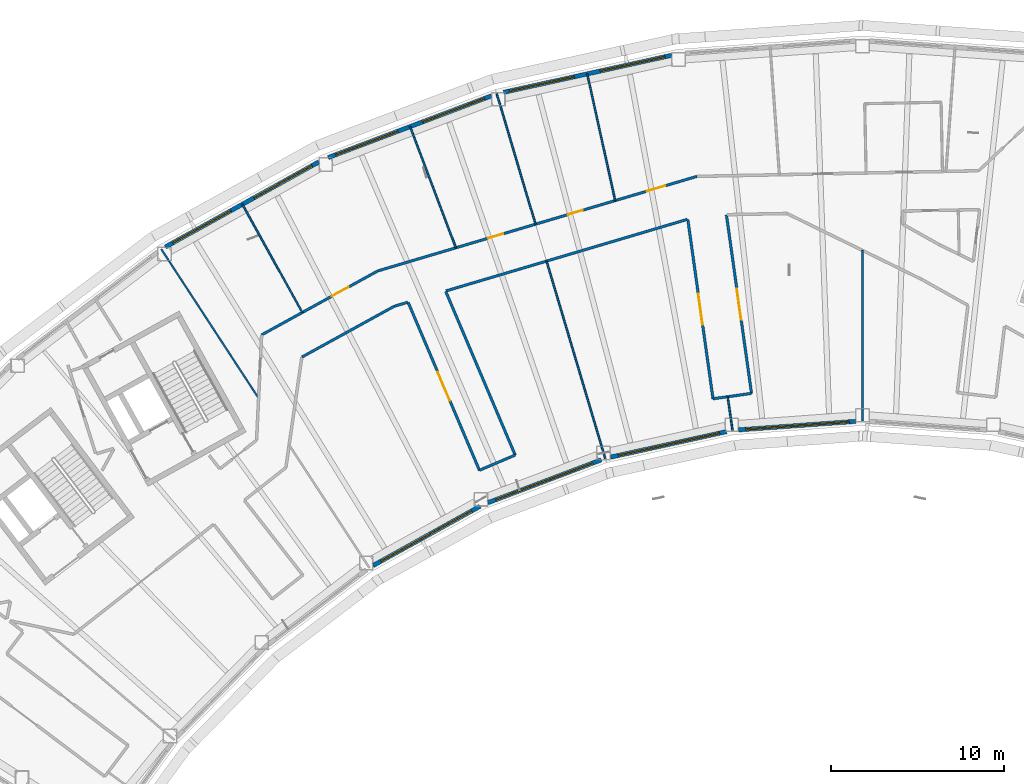
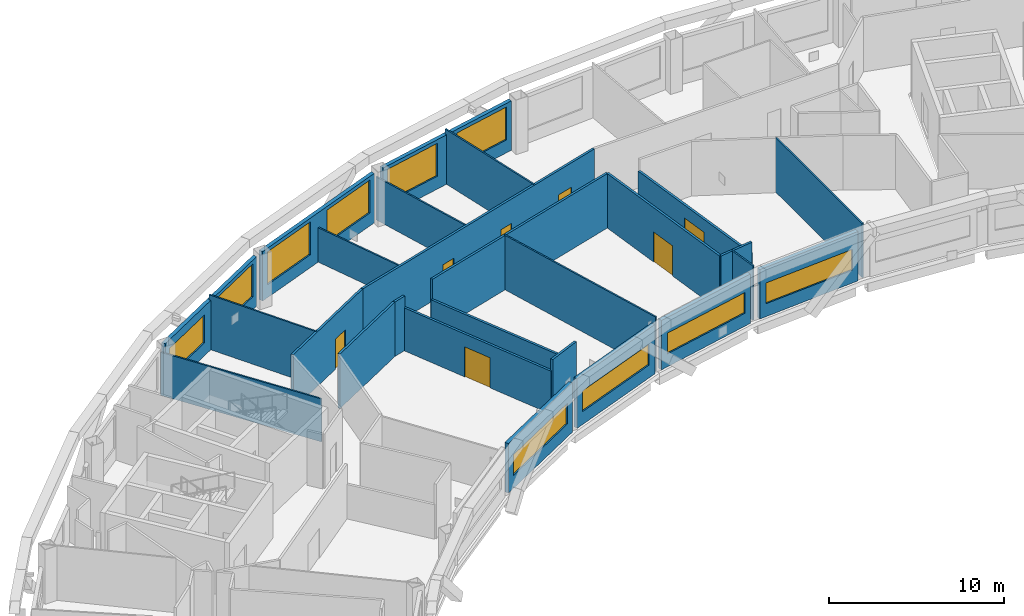
# One storey, part 7 of 21: 26 walls, 10 windows, 7 doors, 17 openings.
"""IFC4 building model written with IfcOpenShell, lengths in metres."""

import ifcopenshell
import ifcopenshell.guid

model = None  # the IFC model being written
_history = None  # IfcOwnerHistory: only IFC2X3 demands one
_inside = {}  # id of a spatial element -> (the spatial element, [elements in it])
_under = {}  # id of a project, library or spatial element -> (it, [spatial elements below it])
_declared = {}  # id of a project -> (the project, [libraries it declares])
_typed = {}  # id of a type object -> (the type object, [elements of that type])
_made_of = {}  # id of a material, layer set ... -> (it, [elements and type objects made of it])


def new_model(schema):
    """Start an empty IFC model of exactly this schema.

    Asked for "IFC4X3", IfcOpenShell would pick the latest addendum, in which some entities
    have other attributes; the version numbers below select the first issue.
    IFC2X3 requires an IfcOwnerHistory on every rooted entity: one is made here for all.
    """
    global model, _history
    if schema == "IFC4X3":
        model = ifcopenshell.file(schema_version=(4, 3, 0, 0))
    else:
        model = ifcopenshell.file(schema=schema)
    _inside.clear()
    _under.clear()
    _declared.clear()
    _typed.clear()
    _made_of.clear()
    _history = None
    if model.schema == "IFC2X3":
        org = make("IfcOrganization", Name="unknown")
        user = make(
            "IfcPersonAndOrganization",
            ThePerson=make("IfcPerson", FamilyName="unknown"),
            TheOrganization=org,
        )
        app = make(
            "IfcApplication",
            ApplicationDeveloper=org,
            Version="unknown",
            ApplicationFullName="unknown",
            ApplicationIdentifier="unknown",
        )
        _history = make(
            "IfcOwnerHistory",
            OwningUser=user,
            OwningApplication=app,
            ChangeAction="ADDED",
            CreationDate=0,
        )
    return model


def make(cls, **values):
    """One entity of the class cls with the attributes given. An attribute that is None is left unset."""
    return model.create_entity(
        cls, **{name: value for name, value in values.items() if value is not None}
    )


def rooted(cls, **values):
    """An entity with a GlobalId (a new one), such as an element, a storey or a relation."""
    return make(cls, GlobalId=ifcopenshell.guid.new(), OwnerHistory=_history, **values)


def si_unit(unit_type, name, prefix=None):
    """IfcSIUnit, for example si_unit("LENGTHUNIT", "METRE", prefix="MILLI")."""
    return make("IfcSIUnit", UnitType=unit_type, Prefix=prefix, Name=name)


def assignment(units):
    """IfcUnitAssignment: the units of a project."""
    return None if units is None else make("IfcUnitAssignment", Units=units)


def point(xyz):
    """IfcCartesianPoint."""
    return None if xyz is None else make("IfcCartesianPoint", Coordinates=xyz)


def direction(xyz):
    """IfcDirection."""
    return None if xyz is None else make("IfcDirection", DirectionRatios=xyz)


def frame(location, z_axis=None, x_axis=None):
    """IfcAxis2Placement3D, a coordinate frame: its origin and axes. An axis left out is left unset."""
    return make(
        "IfcAxis2Placement3D",
        Location=point(location),
        Axis=direction(z_axis),
        RefDirection=direction(x_axis),
    )


def frame_2d(location, x_axis=None):
    """IfcAxis2Placement2D, a coordinate frame in the plane: its origin and x axis."""
    return make(
        "IfcAxis2Placement2D", Location=point(location), RefDirection=direction(x_axis)
    )


def origin():
    """The frame at (0, 0, 0) with its axes left unset."""
    return frame((0.0, 0.0, 0.0))


def place(relative_to, where):
    """IfcLocalPlacement: puts the frame where relative to a parent placement (None: the world)."""
    return make(
        "IfcLocalPlacement", PlacementRelTo=relative_to, RelativePlacement=where
    )


def context(
    kind, dimensions, precision=None, world=None, true_north=None, identifier=None
):
    """IfcGeometricRepresentationContext, for example the 3D "Model" context."""
    return make(
        "IfcGeometricRepresentationContext",
        ContextIdentifier=identifier,
        ContextType=kind,
        CoordinateSpaceDimension=dimensions,
        Precision=precision,
        WorldCoordinateSystem=world,
        TrueNorth=true_north,
    )


def subcontext(parent, identifier, kind, view, scale=None):
    """IfcGeometricRepresentationSubContext, for example "Body" below "Model"."""
    return make(
        "IfcGeometricRepresentationSubContext",
        ContextIdentifier=identifier,
        ContextType=kind,
        ParentContext=parent,
        TargetScale=scale,
        TargetView=view,
    )


def project(units=None, contexts=None):
    """IfcProject with its units and contexts."""
    return rooted(
        "IfcProject",
        Name="project",
        RepresentationContexts=contexts,
        UnitsInContext=assignment(units),
    )


def spatial(cls, under=None, at=None, **own):
    """A site, building, storey or space (cls), placed at a placement, below another one or the project."""
    s = rooted(cls, ObjectPlacement=at, **own)
    if under is not None:
        _under.setdefault(under.id(), (under, []))[1].append(s)
    return s


def profile(cls, at=None, kind="AREA", **sizes):
    """A parametric profile (cls). Its sizes go by their IFC names, for example OverallWidth=200.0."""
    return make(cls, ProfileType=kind, Position=at, **sizes)


def rectangle(**sizes):
    """IfcRectangleProfileDef."""
    return profile("IfcRectangleProfileDef", **sizes)


def extrude(swept, where, along, depth):
    """IfcExtrudedAreaSolid: the profile swept, set in the frame where, extruded along a direction by depth."""
    return make(
        "IfcExtrudedAreaSolid",
        SweptArea=swept,
        Position=where,
        ExtrudedDirection=direction(along),
        Depth=depth,
    )


def shape(context_of_items, identifier, shape_type, items):
    """IfcShapeRepresentation: the items that make up one representation, for example the "Body"."""
    return make(
        "IfcShapeRepresentation",
        ContextOfItems=context_of_items,
        RepresentationIdentifier=identifier,
        RepresentationType=shape_type,
        Items=items,
    )


def material(Name=None, Category=None):
    """IfcMaterial."""
    return make("IfcMaterial", Name=Name, Category=Category)


def layer(
    of_material, thickness, ventilated=None, Name=None, Category=None, Priority=None
):
    """IfcMaterialLayer: one layer of a wall or slab, of a material (None: an air gap)."""
    return make(
        "IfcMaterialLayer",
        Material=of_material,
        LayerThickness=thickness,
        IsVentilated=ventilated,
        Name=Name,
        Category=Category,
        Priority=Priority,
    )


def layer_set(layers, Name=None):
    """IfcMaterialLayerSet."""
    return make("IfcMaterialLayerSet", MaterialLayers=layers, LayerSetName=Name)


def made_of(thing, what):
    """Note that an element or type object is made of a material, layer set ...; save() writes the relation."""
    if what is not None:
        _made_of.setdefault(what.id(), (what, []))[1].append(thing)
    return thing


def type_object(cls, material=None, **own):
    """A type object (cls), such as IfcWallType, which elements share."""
    return made_of(rooted(cls, **own), material)


def element(
    cls,
    number,
    at=None,
    inside=None,
    cuts=None,
    type_object=None,
    material=None,
    context=None,
    identifier="Body",
    shape_type=None,
    held_by="IfcProductDefinitionShape",
    body=None,
    shapes=None,
    **own,
):
    """One element of the class cls, such as IfcWall. Its Tag is "e" and its number.

    at: its placement. inside: the storey or other place that contains it. cuts: it is an
    opening in that element (IfcRelVoidsElement). A single representation is given by context,
    identifier, shape_type and body (its items); several are given by shapes. held_by: the class
    of the entity that holds the representations. save() writes the other relations.
    """
    e = rooted(cls, Tag="e%d" % number, ObjectPlacement=at, **own)
    if body is not None:
        shapes = [shape(context, identifier, shape_type, body)]
    if shapes is not None:
        e.Representation = make(held_by, Representations=shapes)
    if inside is not None:
        _inside.setdefault(inside.id(), (inside, []))[1].append(e)
    if cuts is not None:
        rooted(
            "IfcRelVoidsElement", RelatingBuildingElement=cuts, RelatedOpeningElement=e
        )
    if type_object is not None:
        _typed.setdefault(type_object.id(), (type_object, []))[1].append(e)
    return made_of(e, material)


def fill(opening, filler):
    """IfcRelFillsElement: the door or window that sits in an opening."""
    return rooted(
        "IfcRelFillsElement",
        RelatingOpeningElement=opening,
        RelatedBuildingElement=filler,
    )


def aggregate(whole, parts):
    """IfcRelAggregates: a whole, such as a stair, and the parts it consists of."""
    return rooted("IfcRelAggregates", RelatingObject=whole, RelatedObjects=parts)


def save(model, path):
    """Write the relations noted so far, then the file.

    IfcRelAggregates (storeys below a building ...), IfcRelContainedInSpatialStructure (elements
    in a storey), IfcRelDefinesByType, IfcRelAssociatesMaterial and IfcRelDeclares: one each for
    every whole, place, type object, material and project.
    """
    for whole, parts in _under.values():
        aggregate(whole, parts)
    for where, things in _inside.values():
        rooted(
            "IfcRelContainedInSpatialStructure",
            RelatedElements=things,
            RelatingStructure=where,
        )
    for kind, things in _typed.values():
        rooted("IfcRelDefinesByType", RelatedObjects=things, RelatingType=kind)
    for what, things in _made_of.values():
        rooted("IfcRelAssociatesMaterial", RelatedObjects=things, RelatingMaterial=what)
    for by, libraries in _declared.values():
        rooted("IfcRelDeclares", RelatingContext=by, RelatedDefinitions=libraries)
    model.write(path)


model = new_model("IFC4")

# Units and contexts
model_context = context("Model", 3, precision=1e-05, world=origin(), true_north=direction((0.0, 1.0)))
body_context = subcontext(model_context, "Body", "Model", "MODEL_VIEW")
ifc_project = project(units=[si_unit("LENGTHUNIT", "METRE"), si_unit("AREAUNIT", "SQUARE_METRE"), si_unit("VOLUMEUNIT", "CUBIC_METRE"), si_unit("PLANEANGLEUNIT", "RADIAN"), si_unit("MASSUNIT", "GRAM", prefix="KILO")], contexts=[model_context])

# Site, building, storey
site_placement = place(None, origin())
site = spatial("IfcSite", under=ifc_project, at=site_placement, CompositionType="ELEMENT")
building_placement = place(site_placement, origin())
building = spatial("IfcBuilding", under=site, at=building_placement, Name="Tuul Gate Civic Tower", CompositionType="ELEMENT")
storey_placement = place(building_placement, frame((0.0, 0.0, 273.60009765625)))
storey = spatial("IfcBuildingStorey", under=building, at=storey_placement, Name="Level 62", CompositionType="ELEMENT", Elevation=273.60009765625)

# Wall, openings, doors
ifc_material_1 = material(Name="Gypsum board partition")
ifc_layer_1 = layer(ifc_material_1, 0.14990234375)
ifc_layer_set_1 = layer_set([ifc_layer_1], Name="Gypsum board partition")
wall_type_1 = type_object("IfcWallType", Name="Corridor wall P150", PredefinedType="PARTITIONING", material=ifc_layer_set_1)
wall_1_placement = place(storey_placement, frame((-17.019287109375, 0.470947265625, 0.0), z_axis=(0.0, 0.0, 1.0), x_axis=(0.958801310429, 0.284077537162, 0.0)))
wall_1 = element("IfcWall", 1, at=wall_1_placement, inside=storey, type_object=wall_type_1, Name="p032", PredefinedType="PARTITIONING", context=body_context, shape_type="SweptSolid", body=[
    extrude(rectangle(XDim=19.255126953125, YDim=0.14990234375, at=frame_2d((9.62744140625, 0.0))), origin(), (0.0, 0.0, 1.0), 3.7998046875),
])
opening_1_placement = place(wall_1_placement, frame((16.239013671875, 0.0, 0.0)))
opening_1 = element("IfcOpeningElement", 2, at=opening_1_placement, cuts=wall_1, Name="Opening W-D11", PredefinedType="OPENING", context=body_context, shape_type="SweptSolid", body=[
    extrude(rectangle(XDim=1.10009765625, YDim=2.10009765625, at=frame_2d((0.550048828125, 1.050048828125))), frame((0.0, 0.0849609375, 0.0), z_axis=(0.0, -1.0, 0.0), x_axis=(1.0, 0.0, 0.0)), (0.0, 0.0, 1.0), 0.169921875),
])
opening_2_placement = place(wall_1_placement, frame((11.47021484375, 0.0, 0.0)))
opening_2 = element("IfcOpeningElement", 3, at=opening_2_placement, cuts=wall_1, Name="Opening W-D12", PredefinedType="OPENING", context=body_context, shape_type="SweptSolid", body=[
    extrude(rectangle(XDim=0.89990234375, YDim=2.10009765625, at=frame_2d((0.449951171875, 1.050048828125))), frame((0.0, 0.0849609375, 0.0), z_axis=(0.0, -1.0, 0.0), x_axis=(1.0, 0.0, 0.0)), (0.0, 0.0, 1.0), 0.169921875),
])
opening_3_placement = place(wall_1_placement, frame((6.663818359375, 0.0, 0.0)))
opening_3 = element("IfcOpeningElement", 4, at=opening_3_placement, cuts=wall_1, Name="Opening W-D13", PredefinedType="OPENING", context=body_context, shape_type="SweptSolid", body=[
    extrude(rectangle(XDim=0.89990234375, YDim=2.10009765625, at=frame_2d((0.449951171875, 1.050048828125))), frame((0.0, 0.0849609375, 0.0), z_axis=(0.0, -1.0, 0.0), x_axis=(1.0, 0.0, 0.0)), (0.0, 0.0, 1.0), 0.169921875),
])
ifc_material_2 = material(Name="Timber door leaf", Category="wood")
door_type_1 = type_object("IfcDoorType", Name="Door D09", OperationType="NOTDEFINED", PredefinedType="DOOR", material=ifc_material_2)
door_1_placement = place(opening_2_placement, origin())
door_1 = element("IfcDoor", 5, at=door_1_placement, inside=storey, type_object=door_type_1, Name="Door W-D12", OperationType="SINGLE_SWING_RIGHT", OverallHeight=2.10009765625, OverallWidth=0.89990234375, PredefinedType="DOOR", context=body_context, shape_type="SweptSolid", body=[
    extrude(rectangle(XDim=0.89990234375, YDim=2.10009765625, at=frame_2d((0.449951171875, 1.050048828125))), frame((0.0, 0.02490234375, 0.0), z_axis=(0.0, -1.0, 0.0), x_axis=(1.0, 0.0, 0.0)), (0.0, 0.0, 1.0), 0.050048828125),
])
fill(opening_2, door_1)
door_2_placement = place(opening_3_placement, origin())
door_2 = element("IfcDoor", 6, at=door_2_placement, inside=storey, type_object=door_type_1, Name="Door W-D13", OperationType="SINGLE_SWING_RIGHT", OverallHeight=2.10009765625, OverallWidth=0.89990234375, PredefinedType="DOOR", context=body_context, shape_type="SweptSolid", body=[
    extrude(rectangle(XDim=0.89990234375, YDim=2.10009765625, at=frame_2d((0.449951171875, 1.050048828125))), frame((0.0, 0.02490234375, 0.0), z_axis=(0.0, -1.0, 0.0), x_axis=(1.0, 0.0, 0.0)), (0.0, 0.0, 1.0), 0.050048828125),
])
fill(opening_3, door_2)
ifc_material_3 = material(Name="Timber door leaf", Category="wood")
door_type_2 = type_object("IfcDoorType", Name="Door D11", OperationType="NOTDEFINED", PredefinedType="DOOR", material=ifc_material_3)
door_3_placement = place(opening_1_placement, origin())
door_3 = element("IfcDoor", 7, at=door_3_placement, inside=storey, type_object=door_type_2, Name="Door W-D11", OperationType="SINGLE_SWING_RIGHT", OverallHeight=2.10009765625, OverallWidth=1.10009765625, PredefinedType="DOOR", context=body_context, shape_type="SweptSolid", body=[
    extrude(rectangle(XDim=1.10009765625, YDim=2.10009765625, at=frame_2d((0.550048828125, 1.050048828125))), frame((0.0, 0.02490234375, 0.0), z_axis=(0.0, -1.0, 0.0), x_axis=(1.0, 0.0, 0.0)), (0.0, 0.0, 1.0), 0.050048828125),
])
fill(opening_1, door_3)

# Wall, opening, door
wall_2_placement = place(storey_placement, frame((-23.7451171875, -3.230712890625, 0.0), z_axis=(0.0, 0.0, 1.0), x_axis=(0.876076858948, 0.482171481131, 0.0)))
wall_2 = element("IfcWall", 8, at=wall_2_placement, inside=storey, type_object=wall_type_1, Name="p038", PredefinedType="PARTITIONING", context=body_context, shape_type="SweptSolid", body=[
    extrude(rectangle(XDim=7.675537109375, YDim=0.14990234375, at=frame_2d((3.837890625, 0.0))), origin(), (0.0, 0.0, 1.0), 3.7998046875),
])
opening_4_placement = place(wall_2_placement, frame((4.6318359375, 0.0, 0.0)))
opening_4 = element("IfcOpeningElement", 9, at=opening_4_placement, cuts=wall_2, Name="Opening W-D14", PredefinedType="OPENING", context=body_context, shape_type="SweptSolid", body=[
    extrude(rectangle(XDim=1.10009765625, YDim=2.10009765625, at=frame_2d((0.550048828125, 1.050048828125))), frame((0.0, 0.0849609375, 0.0), z_axis=(0.0, -1.0, 0.0), x_axis=(1.0, 0.0, 0.0)), (0.0, 0.0, 1.0), 0.169921875),
])
door_4_placement = place(opening_4_placement, origin())
door_4 = element("IfcDoor", 10, at=door_4_placement, inside=storey, type_object=door_type_2, Name="Door W-D14", OperationType="SINGLE_SWING_RIGHT", OverallHeight=2.10009765625, OverallWidth=1.10009765625, PredefinedType="DOOR", context=body_context, shape_type="SweptSolid", body=[
    extrude(rectangle(XDim=1.10009765625, YDim=2.10009765625, at=frame_2d((0.550048828125, 1.050048828125))), frame((0.0, 0.02490234375, 0.0), z_axis=(0.0, -1.0, 0.0), x_axis=(1.0, 0.0, 0.0)), (0.0, 0.0, 1.0), 0.050048828125),
])
fill(opening_4, door_4)

# Walls
wall_3_placement = place(storey_placement, frame((2.37744140625, -6.929931640625, 0.0), z_axis=(0.0, 0.0, 1.0), x_axis=(0.990264063999, 0.139201593207, 0.0)))
element("IfcWall", 11, at=wall_3_placement, inside=storey, type_object=wall_type_1, Name="p081", PredefinedType="PARTITIONING", context=body_context, shape_type="SweptSolid", body=[
    extrude(rectangle(XDim=2.24853515625, YDim=0.14990234375, at=frame_2d((1.124267578125, 0.0))), origin(), (0.0, 0.0, 1.0), 3.7998046875),
])
wall_4_placement = place(storey_placement, frame((-16.077392578125, -1.578125, 0.0), z_axis=(0.0, 0.0, 1.0), x_axis=(0.958777141737, 0.284159097133, 0.0)))
element("IfcWall", 12, at=wall_4_placement, inside=storey, type_object=wall_type_1, Name="p085", PredefinedType="PARTITIONING", context=body_context, shape_type="SweptSolid", body=[
    extrude(rectangle(XDim=0.822265625, YDim=0.14990234375, at=frame_2d((0.4111328125, 0.0))), origin(), (0.0, 0.0, 1.0), 3.7998046875),
])
wall_5_placement = place(storey_placement, frame((-13.078369140625, -0.68896484375, 0.0), z_axis=(0.0, 0.0, 1.0), x_axis=(0.958752638079, 0.284241761494, 0.0)))
element("IfcWall", 13, at=wall_5_placement, inside=storey, type_object=wall_type_1, Name="p086", PredefinedType="PARTITIONING", context=body_context, shape_type="SweptSolid", body=[
    extrude(rectangle(XDim=14.5732421875, YDim=0.14990234375, at=frame_2d((7.28662109375, 0.0))), origin(), (0.0, 0.0, 1.0), 3.7998046875),
])

# Wall, opening, door
wall_6_placement = place(storey_placement, frame((0.919921875, 3.4365234375, 0.0), z_axis=(0.0, 0.0, 1.0), x_axis=(0.139171208101, -0.990268334764, 0.0)))
wall_6 = element("IfcWall", 14, at=wall_6_placement, inside=storey, type_object=wall_type_1, Name="p087", PredefinedType="PARTITIONING", context=body_context, shape_type="SweptSolid", body=[
    extrude(rectangle(XDim=10.467529296875, YDim=0.14990234375, at=frame_2d((5.23388671875, 0.0))), origin(), (0.0, 0.0, 1.0), 3.7998046875),
])
opening_5_placement = place(wall_6_placement, frame((4.333984375, 0.0, 0.0)))
opening_5 = element("IfcOpeningElement", 15, at=opening_5_placement, cuts=wall_6, Name="Opening W-D24", PredefinedType="OPENING", context=body_context, shape_type="SweptSolid", body=[
    extrude(rectangle(XDim=1.800048828125, YDim=2.10009765625, at=frame_2d((0.89990234375, 1.050048828125))), frame((0.0, 0.0849609375, 0.0), z_axis=(0.0, -1.0, 0.0), x_axis=(1.0, 0.0, 0.0)), (0.0, 0.0, 1.0), 0.169921875),
])
ifc_material_4 = material(Name="Timber door leaf, double", Category="wood")
door_type_3 = type_object("IfcDoorType", Name="Door D18", OperationType="DOUBLE_DOOR_SINGLE_SWING", PredefinedType="DOOR", material=ifc_material_4)
door_5_placement = place(opening_5_placement, frame((1.800048828125, 0.0, 0.0), z_axis=(0.0, 0.0, 1.0), x_axis=(-1.0, 0.0, 0.0)))
door_5 = element("IfcDoor", 16, at=door_5_placement, inside=storey, type_object=door_type_3, Name="Door W-D24", OperationType="DOUBLE_DOOR_SINGLE_SWING", OverallHeight=2.10009765625, OverallWidth=1.800048828125, PredefinedType="DOOR", context=body_context, shape_type="SweptSolid", body=[
    extrude(rectangle(XDim=1.800048828125, YDim=2.10009765625, at=frame_2d((0.900146484375, 1.050048828125))), frame((0.0, 0.02490234375, 0.0), z_axis=(0.0, -1.0, 0.0), x_axis=(1.0, 0.0, 0.0)), (0.0, 0.0, 1.0), 0.050048828125),
])
fill(opening_5, door_5)

# Walls
wall_7_placement = place(storey_placement, frame((-11.142578125, -11.066162109375, 0.0), z_axis=(0.0, 0.0, 1.0), x_axis=(0.920497823012, 0.390747690754, 0.0)))
element("IfcWall", 17, at=wall_7_placement, inside=storey, type_object=wall_type_1, Name="p088", PredefinedType="PARTITIONING", context=body_context, shape_type="SweptSolid", body=[
    extrude(rectangle(XDim=2.25, YDim=0.14990234375, at=frame_2d((1.125, 0.0))), origin(), (0.0, 0.0, 1.0), 3.7998046875),
])
wall_8_placement = place(storey_placement, frame((-21.41064453125, -4.51416015625, 0.0), z_axis=(0.0, 0.0, 1.0), x_axis=(0.876059220432, 0.482203527877, 0.0)))
element("IfcWall", 18, at=wall_8_placement, inside=storey, type_object=wall_type_1, Name="p091", PredefinedType="PARTITIONING", context=body_context, shape_type="SweptSolid", body=[
    extrude(rectangle(XDim=6.087890625, YDim=0.14990234375, at=frame_2d((3.0439453125, 0.0))), origin(), (0.0, 0.0, 1.0), 3.7998046875),
])
ifc_material_5 = material(Name="Gypsum board partition")
ifc_layer_2 = layer(ifc_material_5, 0.14990234375)
ifc_layer_set_2 = layer_set([ifc_layer_2], Name="Gypsum board partition")
wall_type_2 = type_object("IfcWallType", Name="Corridor wall P150 2400 HIGH", PredefinedType="PARTITIONING", material=ifc_layer_set_2)
wall_9_placement = place(storey_placement, frame((-13.09130859375, -0.716552734375, 0.0), z_axis=(0.0, 0.0, 1.0), x_axis=(0.39071499052, -0.920511703447, 0.0)))
element("IfcWall", 19, at=wall_9_placement, inside=storey, type_object=wall_type_2, Name="p089", PredefinedType="PARTITIONING", context=body_context, shape_type="SweptSolid", body=[
    extrude(rectangle(XDim=10.288330078125, YDim=0.14990234375, at=frame_2d((5.14404296875, 0.0))), origin(), (0.0, 0.0, 1.0), 2.39990234375),
])

# Wall, opening, door
ifc_material_6 = material(Name="Gypsum board partition")
ifc_layer_3 = layer(ifc_material_6, 0.14990234375)
ifc_layer_set_3 = layer_set([ifc_layer_3], Name="Gypsum board partition")
wall_type_3 = type_object("IfcWallType", Name="Corridor wall P150 3000 HIGH", PredefinedType="PARTITIONING", material=ifc_layer_set_3)
wall_10_placement = place(storey_placement, frame((3.154541015625, 3.701904296875, 0.0), z_axis=(0.0, 0.0, 1.0), x_axis=(0.139180515774, -0.990267026629, 0.0)))
wall_10 = element("IfcWall", 20, at=wall_10_placement, inside=storey, type_object=wall_type_3, Name="p082", PredefinedType="PARTITIONING", context=body_context, shape_type="SweptSolid", body=[
    extrude(rectangle(XDim=10.41943359375, YDim=0.14990234375, at=frame_2d((5.209716796875, 0.0))), origin(), (0.0, 0.0, 1.0), 3.0),
])
opening_6_placement = place(wall_10_placement, frame((4.309814453125, 0.0, 0.0)))
opening_6 = element("IfcOpeningElement", 21, at=opening_6_placement, cuts=wall_10, Name="Opening W-D23", PredefinedType="OPENING", context=body_context, shape_type="SweptSolid", body=[
    extrude(rectangle(XDim=1.800048828125, YDim=2.10009765625, at=frame_2d((0.89990234375, 1.050048828125))), frame((0.0, 0.0849609375, 0.0), z_axis=(0.0, -1.0, 0.0), x_axis=(1.0, 0.0, 0.0)), (0.0, 0.0, 1.0), 0.169921875),
])
door_6_placement = place(opening_6_placement, origin())
door_6 = element("IfcDoor", 22, at=door_6_placement, inside=storey, type_object=door_type_3, Name="Door W-D23", OperationType="DOUBLE_DOOR_SINGLE_SWING", OverallHeight=2.10009765625, OverallWidth=1.800048828125, PredefinedType="DOOR", context=body_context, shape_type="SweptSolid", body=[
    extrude(rectangle(XDim=1.800048828125, YDim=2.10009765625, at=frame_2d((0.89990234375, 1.050048828125))), frame((0.0, 0.02490234375, 0.0), z_axis=(0.0, -1.0, 0.0), x_axis=(1.0, 0.0, 0.0)), (0.0, 0.0, 1.0), 0.050048828125),
])
fill(opening_6, door_6)

wall_11_placement = place(storey_placement, frame((-15.26416015625, -1.356201171875, 0.0), z_axis=(0.0, 0.0, 1.0), x_axis=(0.390726963281, -0.920506621467, 0.0)))
wall_11 = element("IfcWall", 23, at=wall_11_placement, inside=storey, type_object=wall_type_3, Name="p092", PredefinedType="PARTITIONING", context=body_context, shape_type="SweptSolid", body=[
    extrude(rectangle(XDim=10.548583984375, YDim=0.14990234375, at=frame_2d((5.2744140625, 0.0))), origin(), (0.0, 0.0, 1.0), 3.0),
])
opening_7_placement = place(wall_11_placement, frame((4.374267578125, 0.0, 0.0)))
opening_7 = element("IfcOpeningElement", 24, at=opening_7_placement, cuts=wall_11, Name="Opening W-D25", PredefinedType="OPENING", context=body_context, shape_type="SweptSolid", body=[
    extrude(rectangle(XDim=1.800048828125, YDim=2.10009765625, at=frame_2d((0.89990234375, 1.050048828125))), frame((0.0, 0.0849609375, 0.0), z_axis=(0.0, -1.0, 0.0), x_axis=(1.0, 0.0, 0.0)), (0.0, 0.0, 1.0), 0.169921875),
])
door_7_placement = place(opening_7_placement, frame((1.800048828125, 0.0, 0.0), z_axis=(0.0, 0.0, 1.0), x_axis=(-1.0, 0.0, 0.0)))
door_7 = element("IfcDoor", 25, at=door_7_placement, inside=storey, type_object=door_type_3, Name="Door W-D25", OperationType="DOUBLE_DOOR_SINGLE_SWING", OverallHeight=2.10009765625, OverallWidth=1.800048828125, PredefinedType="DOOR", context=body_context, shape_type="SweptSolid", body=[
    extrude(rectangle(XDim=1.800048828125, YDim=2.10009765625, at=frame_2d((0.900146484375, 1.050048828125))), frame((0.0, 0.02490234375, 0.0), z_axis=(0.0, -1.0, 0.0), x_axis=(1.0, 0.0, 0.0)), (0.0, 0.0, 1.0), 0.050048828125),
])
fill(opening_7, door_7)

# Wall, openings, windows
ifc_material_7 = material(Name="Precast concrete C40/50", Category="concrete")
ifc_layer_4 = layer(ifc_material_7, 0.25)
ifc_layer_set_4 = layer_set([ifc_layer_4], Name="Precast concrete C40/50")
wall_type_4 = type_object("IfcWallType", Name="External wall", PredefinedType="STANDARD", material=ifc_layer_set_4)
wall_12_placement = place(storey_placement, frame((-0.01904296875, 12.947265625, 0.0), z_axis=(0.0, 0.0, 1.0), x_axis=(-0.976559045146, -0.215249695339, 0.0)))
wall_12 = element("IfcWall", 26, at=wall_12_placement, inside=storey, type_object=wall_type_4, Name="External wall", PredefinedType="STANDARD", context=body_context, shape_type="SweptSolid", body=[
    extrude(rectangle(XDim=9.952880859375, YDim=0.25, at=frame_2d((4.9765625, 0.0))), origin(), (0.0, 0.0, 1.0), 3.449951171875),
])
opening_8_placement = place(wall_12_placement, frame((0.389892578125, 0.0, 0.89990234375)))
opening_8 = element("IfcOpeningElement", 27, at=opening_8_placement, cuts=wall_12, Name="Opening W22", PredefinedType="OPENING", context=body_context, shape_type="SweptSolid", body=[
    extrude(rectangle(XDim=3.85009765625, YDim=2.300048828125, at=frame_2d((1.925048828125, 1.14990234375))), frame((0.0, 0.135009765625, 0.0), z_axis=(0.0, -1.0, 0.0), x_axis=(1.0, 0.0, 0.0)), (0.0, 0.0, 1.0), 0.27001953125),
])
opening_9_placement = place(wall_12_placement, frame((5.7607421875, 0.0, 0.89990234375)))
opening_9 = element("IfcOpeningElement", 28, at=opening_9_placement, cuts=wall_12, Name="Opening W22", PredefinedType="OPENING", context=body_context, shape_type="SweptSolid", body=[
    extrude(rectangle(XDim=3.85009765625, YDim=2.300048828125, at=frame_2d((1.925048828125, 1.14990234375))), frame((0.0, 0.135009765625, 0.0), z_axis=(0.0, -1.0, 0.0), x_axis=(1.0, 0.0, 0.0)), (0.0, 0.0, 1.0), 0.27001953125),
])
ifc_material_8 = material(Name="Glass", Category="glass")
window_type_1 = type_object("IfcWindowType", Name="Window W22 3850 x 2300", PartitioningType="SINGLE_PANEL", PredefinedType="WINDOW", material=ifc_material_8)
window_1_placement = place(opening_8_placement, origin())
window_1 = element("IfcWindow", 29, at=window_1_placement, inside=storey, type_object=window_type_1, Name="Window", OverallHeight=2.300048828125, OverallWidth=3.85009765625, PartitioningType="SINGLE_PANEL", PredefinedType="WINDOW", context=body_context, shape_type="SweptSolid", body=[
    extrude(rectangle(XDim=3.85009765625, YDim=2.300048828125, at=frame_2d((1.925048828125, 1.14990234375))), frame((0.0, 0.030029296875, 0.0), z_axis=(0.0, -1.0, 0.0), x_axis=(1.0, 0.0, 0.0)), (0.0, 0.0, 1.0), 0.06005859375),
])
fill(opening_8, window_1)
window_2_placement = place(opening_9_placement, origin())
window_2 = element("IfcWindow", 30, at=window_2_placement, inside=storey, type_object=window_type_1, Name="Window", OverallHeight=2.300048828125, OverallWidth=3.85009765625, PartitioningType="SINGLE_PANEL", PredefinedType="WINDOW", context=body_context, shape_type="SweptSolid", body=[
    extrude(rectangle(XDim=3.85009765625, YDim=2.300048828125, at=frame_2d((1.925048828125, 1.14990234375))), frame((0.0, 0.030029296875, 0.0), z_axis=(0.0, -1.0, 0.0), x_axis=(1.0, 0.0, 0.0)), (0.0, 0.0, 1.0), 0.06005859375),
])
fill(opening_9, window_2)

wall_13_placement = place(storey_placement, frame((-10.446044921875, 10.6005859375, 0.0), z_axis=(0.0, 0.0, 1.0), x_axis=(-0.935343984789, -0.353739494712, 0.0)))
wall_13 = element("IfcWall", 31, at=wall_13_placement, inside=storey, type_object=wall_type_4, Name="External wall", PredefinedType="STANDARD", context=body_context, shape_type="SweptSolid", body=[
    extrude(rectangle(XDim=10.099365234375, YDim=0.25, at=frame_2d((5.0498046875, 0.0))), origin(), (0.0, 0.0, 1.0), 3.449951171875),
])
opening_10_placement = place(wall_13_placement, frame((0.422607421875, 0.0, 0.89990234375)))
opening_10 = element("IfcOpeningElement", 32, at=opening_10_placement, cuts=wall_13, Name="Opening W22", PredefinedType="OPENING", context=body_context, shape_type="SweptSolid", body=[
    extrude(rectangle(XDim=3.85009765625, YDim=2.300048828125, at=frame_2d((1.925048828125, 1.14990234375))), frame((0.0, 0.135009765625, 0.0), z_axis=(0.0, -1.0, 0.0), x_axis=(1.0, 0.0, 0.0)), (0.0, 0.0, 1.0), 0.27001953125),
])
opening_11_placement = place(wall_13_placement, frame((5.7939453125, 0.0, 0.89990234375)))
opening_11 = element("IfcOpeningElement", 33, at=opening_11_placement, cuts=wall_13, Name="Opening W22", PredefinedType="OPENING", context=body_context, shape_type="SweptSolid", body=[
    extrude(rectangle(XDim=3.85009765625, YDim=2.300048828125, at=frame_2d((1.925048828125, 1.14990234375))), frame((0.0, 0.135009765625, 0.0), z_axis=(0.0, -1.0, 0.0), x_axis=(1.0, 0.0, 0.0)), (0.0, 0.0, 1.0), 0.27001953125),
])
window_3_placement = place(opening_10_placement, origin())
window_3 = element("IfcWindow", 34, at=window_3_placement, inside=storey, type_object=window_type_1, Name="Window", OverallHeight=2.300048828125, OverallWidth=3.85009765625, PartitioningType="SINGLE_PANEL", PredefinedType="WINDOW", context=body_context, shape_type="SweptSolid", body=[
    extrude(rectangle(XDim=3.85009765625, YDim=2.300048828125, at=frame_2d((1.925048828125, 1.14990234375))), frame((0.0, 0.030029296875, 0.0), z_axis=(0.0, -1.0, 0.0), x_axis=(1.0, 0.0, 0.0)), (0.0, 0.0, 1.0), 0.06005859375),
])
fill(opening_10, window_3)
window_4_placement = place(opening_11_placement, origin())
window_4 = element("IfcWindow", 35, at=window_4_placement, inside=storey, type_object=window_type_1, Name="Window", OverallHeight=2.300048828125, OverallWidth=3.85009765625, PartitioningType="SINGLE_PANEL", PredefinedType="WINDOW", context=body_context, shape_type="SweptSolid", body=[
    extrude(rectangle(XDim=3.85009765625, YDim=2.300048828125, at=frame_2d((1.925048828125, 1.14990234375))), frame((0.0, 0.030029296875, 0.0), z_axis=(0.0, -1.0, 0.0), x_axis=(1.0, 0.0, 0.0)), (0.0, 0.0, 1.0), 0.06005859375),
])
fill(opening_11, window_4)

wall_14_placement = place(storey_placement, frame((-20.43310546875, 6.777099609375, 0.0), z_axis=(0.0, 0.0, 1.0), x_axis=(-0.87463069098, -0.484789804345, 0.0)))
wall_14 = element("IfcWall", 36, at=wall_14_placement, inside=storey, type_object=wall_type_4, Name="External wall", PredefinedType="STANDARD", context=body_context, shape_type="SweptSolid", body=[
    extrude(rectangle(XDim=10.1591796875, YDim=0.25, at=frame_2d((5.07958984375, 0.0))), origin(), (0.0, 0.0, 1.0), 3.449951171875),
])
opening_12_placement = place(wall_14_placement, frame((0.4501953125, 0.0, 0.89990234375)))
opening_12 = element("IfcOpeningElement", 37, at=opening_12_placement, cuts=wall_14, Name="Opening W22", PredefinedType="OPENING", context=body_context, shape_type="SweptSolid", body=[
    extrude(rectangle(XDim=3.85009765625, YDim=2.300048828125, at=frame_2d((1.925048828125, 1.14990234375))), frame((0.0, 0.135009765625, 0.0), z_axis=(0.0, -1.0, 0.0), x_axis=(1.0, 0.0, 0.0)), (0.0, 0.0, 1.0), 0.27001953125),
])
opening_13_placement = place(wall_14_placement, frame((5.822021484375, 0.0, 0.89990234375)))
opening_13 = element("IfcOpeningElement", 38, at=opening_13_placement, cuts=wall_14, Name="Opening W147", PredefinedType="OPENING", context=body_context, shape_type="SweptSolid", body=[
    extrude(rectangle(XDim=3.85009765625, YDim=1.949951171875, at=frame_2d((1.925048828125, 0.97509765625))), frame((0.0, 0.135009765625, 0.0), z_axis=(0.0, -1.0, 0.0), x_axis=(1.0, 0.0, 0.0)), (0.0, 0.0, 1.0), 0.27001953125),
])
ifc_material_9 = material(Name="Glass", Category="glass")
window_type_2 = type_object("IfcWindowType", Name="Window W147 3850 x 1950", PartitioningType="SINGLE_PANEL", PredefinedType="WINDOW", material=ifc_material_9)
window_5_placement = place(opening_13_placement, origin())
window_5 = element("IfcWindow", 39, at=window_5_placement, inside=storey, type_object=window_type_2, Name="Window", OverallHeight=1.949951171875, OverallWidth=3.85009765625, PartitioningType="SINGLE_PANEL", PredefinedType="WINDOW", context=body_context, shape_type="SweptSolid", body=[
    extrude(rectangle(XDim=3.85009765625, YDim=1.949951171875, at=frame_2d((1.925048828125, 0.97509765625))), frame((0.0, 0.030029296875, 0.0), z_axis=(0.0, -1.0, 0.0), x_axis=(1.0, 0.0, 0.0)), (0.0, 0.0, 1.0), 0.06005859375),
])
fill(opening_13, window_5)
window_6_placement = place(opening_12_placement, origin())
window_6 = element("IfcWindow", 40, at=window_6_placement, inside=storey, type_object=window_type_1, Name="Window", OverallHeight=2.300048828125, OverallWidth=3.85009765625, PartitioningType="SINGLE_PANEL", PredefinedType="WINDOW", context=body_context, shape_type="SweptSolid", body=[
    extrude(rectangle(XDim=3.85009765625, YDim=2.300048828125, at=frame_2d((1.925048828125, 1.14990234375))), frame((0.0, 0.030029296875, 0.0), z_axis=(0.0, -1.0, 0.0), x_axis=(1.0, 0.0, 0.0)), (0.0, 0.0, 1.0), 0.06005859375),
])
fill(opening_12, window_6)

# Wall, opening, window
wall_15_placement = place(storey_placement, frame((-17.2958984375, -16.580322265625, 0.0), z_axis=(0.0, 0.0, 1.0), x_axis=(0.87461248151, 0.484822655398, 0.0)))
wall_15 = element("IfcWall", 41, at=wall_15_placement, inside=storey, type_object=wall_type_4, Name="External wall", PredefinedType="STANDARD", context=body_context, shape_type="SweptSolid", body=[
    extrude(rectangle(XDim=7.07763671875, YDim=0.25, at=frame_2d((3.538818359375, 0.0))), origin(), (0.0, 0.0, 1.0), 3.449951171875),
])
opening_14_placement = place(wall_15_placement, frame((0.51904296875, 0.0, 0.89990234375)))
opening_14 = element("IfcOpeningElement", 42, at=opening_14_placement, cuts=wall_15, Name="Opening W107", PredefinedType="OPENING", context=body_context, shape_type="SweptSolid", body=[
    extrude(rectangle(XDim=6.0, YDim=1.449951171875, at=frame_2d((3.0, 0.72509765625))), frame((0.0, 0.135009765625, 0.0), z_axis=(0.0, -1.0, 0.0), x_axis=(1.0, 0.0, 0.0)), (0.0, 0.0, 1.0), 0.27001953125),
])
ifc_material_10 = material(Name="Glass", Category="glass")
window_type_3 = type_object("IfcWindowType", Name="Window W107 6000 x 1450", PartitioningType="SINGLE_PANEL", PredefinedType="WINDOW", material=ifc_material_10)
window_7_placement = place(opening_14_placement, origin())
window_7 = element("IfcWindow", 43, at=window_7_placement, inside=storey, type_object=window_type_3, Name="Window", OverallHeight=1.449951171875, OverallWidth=6.0, PartitioningType="SINGLE_PANEL", PredefinedType="WINDOW", context=body_context, shape_type="SweptSolid", body=[
    extrude(rectangle(XDim=6.0, YDim=1.449951171875, at=frame_2d((3.0, 0.72509765625))), frame((0.0, 0.030029296875, 0.0), z_axis=(0.0, -1.0, 0.0), x_axis=(1.0, 0.0, 0.0)), (0.0, 0.0, 1.0), 0.06005859375),
])
fill(opening_14, window_7)

wall_16_placement = place(storey_placement, frame((-10.656005859375, -12.94580078125, 0.0), z_axis=(0.0, 0.0, 1.0), x_axis=(0.935331393711, 0.353772785752, 0.0)))
wall_16 = element("IfcWall", 44, at=wall_16_placement, inside=storey, type_object=wall_type_4, Name="External wall", PredefinedType="STANDARD", context=body_context, shape_type="SweptSolid", body=[
    extrude(rectangle(XDim=7.014892578125, YDim=0.25, at=frame_2d((3.50732421875, 0.0))), origin(), (0.0, 0.0, 1.0), 3.449951171875),
])
opening_15_placement = place(wall_16_placement, frame((0.491943359375, 0.0, 0.89990234375)))
opening_15 = element("IfcOpeningElement", 45, at=opening_15_placement, cuts=wall_16, Name="Opening W107", PredefinedType="OPENING", context=body_context, shape_type="SweptSolid", body=[
    extrude(rectangle(XDim=6.0, YDim=1.449951171875, at=frame_2d((3.0, 0.72509765625))), frame((0.0, 0.135009765625, 0.0), z_axis=(0.0, -1.0, 0.0), x_axis=(1.0, 0.0, 0.0)), (0.0, 0.0, 1.0), 0.27001953125),
])
window_8_placement = place(opening_15_placement, origin())
window_8 = element("IfcWindow", 46, at=window_8_placement, inside=storey, type_object=window_type_3, Name="Window", OverallHeight=1.449951171875, OverallWidth=6.0, PartitioningType="SINGLE_PANEL", PredefinedType="WINDOW", context=body_context, shape_type="SweptSolid", body=[
    extrude(rectangle(XDim=6.0, YDim=1.449951171875, at=frame_2d((3.0, 0.72509765625))), frame((0.0, 0.030029296875, 0.0), z_axis=(0.0, -1.0, 0.0), x_axis=(1.0, 0.0, 0.0)), (0.0, 0.0, 1.0), 0.06005859375),
])
fill(opening_15, window_8)

wall_17_placement = place(storey_placement, frame((-3.554931640625, -10.308349609375, 0.0), z_axis=(0.0, 0.0, 1.0), x_axis=(0.976589118116, 0.215113212929, 0.0)))
wall_17 = element("IfcWall", 47, at=wall_17_placement, inside=storey, type_object=wall_type_4, Name="External wall", PredefinedType="STANDARD", context=body_context, shape_type="SweptSolid", body=[
    extrude(rectangle(XDim=6.8720703125, YDim=0.25, at=frame_2d((3.43603515625, 0.0))), origin(), (0.0, 0.0, 1.0), 3.449951171875),
])
opening_16_placement = place(wall_17_placement, frame((0.4580078125, 0.0, 0.89990234375)))
opening_16 = element("IfcOpeningElement", 48, at=opening_16_placement, cuts=wall_17, Name="Opening W107", PredefinedType="OPENING", context=body_context, shape_type="SweptSolid", body=[
    extrude(rectangle(XDim=6.0, YDim=1.449951171875, at=frame_2d((3.0, 0.72509765625))), frame((0.0, 0.135009765625, 0.0), z_axis=(0.0, -1.0, 0.0), x_axis=(1.0, 0.0, 0.0)), (0.0, 0.0, 1.0), 0.27001953125),
])
window_9_placement = place(opening_16_placement, origin())
window_9 = element("IfcWindow", 49, at=window_9_placement, inside=storey, type_object=window_type_3, Name="Window", OverallHeight=1.449951171875, OverallWidth=6.0, PartitioningType="SINGLE_PANEL", PredefinedType="WINDOW", context=body_context, shape_type="SweptSolid", body=[
    extrude(rectangle(XDim=6.0, YDim=1.449951171875, at=frame_2d((3.0, 0.72509765625))), frame((0.0, 0.030029296875, 0.0), z_axis=(0.0, -1.0, 0.0), x_axis=(1.0, 0.0, 0.0)), (0.0, 0.0, 1.0), 0.06005859375),
])
fill(opening_16, window_9)

wall_18_placement = place(storey_placement, frame((3.85888671875, -8.727294921875, 0.0), z_axis=(0.0, 0.0, 1.0), x_axis=(0.997384983798, 0.072271668677, 0.0)))
wall_18 = element("IfcWall", 50, at=wall_18_placement, inside=storey, type_object=wall_type_4, Name="External wall", PredefinedType="STANDARD", context=body_context, shape_type="SweptSolid", body=[
    extrude(rectangle(XDim=6.7900390625, YDim=0.25, at=frame_2d((3.39501953125, 0.0))), origin(), (0.0, 0.0, 1.0), 3.449951171875),
])
opening_17_placement = place(wall_18_placement, frame((0.41796875, 0.0, 0.89990234375)))
opening_17 = element("IfcOpeningElement", 51, at=opening_17_placement, cuts=wall_18, Name="Opening W107", PredefinedType="OPENING", context=body_context, shape_type="SweptSolid", body=[
    extrude(rectangle(XDim=6.0, YDim=1.449951171875, at=frame_2d((3.0, 0.72509765625))), frame((0.0, 0.135009765625, 0.0), z_axis=(0.0, -1.0, 0.0), x_axis=(1.0, 0.0, 0.0)), (0.0, 0.0, 1.0), 0.27001953125),
])
window_10_placement = place(opening_17_placement, origin())
window_10 = element("IfcWindow", 52, at=window_10_placement, inside=storey, type_object=window_type_3, Name="Window", OverallHeight=1.449951171875, OverallWidth=6.0, PartitioningType="SINGLE_PANEL", PredefinedType="WINDOW", context=body_context, shape_type="SweptSolid", body=[
    extrude(rectangle(XDim=6.0, YDim=1.449951171875, at=frame_2d((3.0, 0.72509765625))), frame((0.0, 0.030029296875, 0.0), z_axis=(0.0, -1.0, 0.0), x_axis=(1.0, 0.0, 0.0)), (0.0, 0.0, 1.0), 0.06005859375),
])
fill(opening_17, window_10)

# Walls
ifc_material_11 = material(Name="Gypsum board partition")
ifc_layer_5 = layer(ifc_material_11, 0.10009765625)
ifc_layer_set_5 = layer_set([ifc_layer_5], Name="Gypsum board partition")
wall_type_5 = type_object("IfcWallType", Name="Partition P100", PredefinedType="PARTITIONING", material=ifc_layer_set_5)
wall_19_placement = place(storey_placement, frame((-4.903076171875, 11.875732421875, 0.0), z_axis=(0.0, 0.0, 1.0), x_axis=(0.215216406463, -0.976566381968, 0.0)))
element("IfcWall", 53, at=wall_19_placement, inside=storey, type_object=wall_type_5, Name="p031", PredefinedType="PARTITIONING", context=body_context, shape_type="SweptSolid", body=[
    extrude(rectangle(XDim=7.511962890625, YDim=0.10009765625, at=frame_2d((3.755859375, 0.0))), origin(), (0.0, 0.0, 1.0), 3.7998046875),
])
wall_20_placement = place(storey_placement, frame((-7.258056640625, 1.03662109375, 0.0), z_axis=(0.0, 0.0, 1.0), x_axis=(0.28520742282, -0.958465818884, 0.0)))
element("IfcWall", 54, at=wall_20_placement, inside=storey, type_object=wall_type_5, Name="p034", PredefinedType="PARTITIONING", context=body_context, shape_type="SweptSolid", body=[
    extrude(rectangle(XDim=11.912353515625, YDim=0.10009765625, at=frame_2d((5.9560546875, 0.0))), origin(), (0.0, 0.0, 1.0), 3.7998046875),
])
wall_21_placement = place(storey_placement, frame((-24.86181640625, 4.327880859375, 0.0), z_axis=(0.0, 0.0, 1.0), x_axis=(0.484806078651, -0.874621670269, 0.0)))
element("IfcWall", 55, at=wall_21_placement, inside=storey, type_object=wall_type_5, Name="p036", PredefinedType="PARTITIONING", context=body_context, shape_type="SweptSolid", body=[
    extrude(rectangle(XDim=7.160400390625, YDim=0.10009765625, at=frame_2d((3.580078125, 0.0))), origin(), (0.0, 0.0, 1.0), 3.7998046875),
])
wall_22_placement = place(storey_placement, frame((11.031005859375, -8.212646484375, 0.0), z_axis=(0.0, 0.0, 1.0), x_axis=(0.0, 1.0, 0.0)))
element("IfcWall", 56, at=wall_22_placement, inside=storey, type_object=wall_type_5, Name="p066", PredefinedType="PARTITIONING", context=body_context, shape_type="SweptSolid", body=[
    extrude(rectangle(XDim=9.865966796875, YDim=0.10009765625, at=frame_2d((4.93310546875, 0.0))), origin(), (0.0, 0.0, 1.0), 3.7998046875),
])
wall_23_placement = place(storey_placement, frame((3.22314453125, -6.81103515625, 0.0), z_axis=(0.0, 0.0, 1.0), x_axis=(0.144079049005, -0.989566181535, 0.0)))
element("IfcWall", 57, at=wall_23_placement, inside=storey, type_object=wall_type_5, Name="p080", PredefinedType="PARTITIONING", context=body_context, shape_type="SweptSolid", body=[
    extrude(rectangle(XDim=1.96728515625, YDim=0.10009765625, at=frame_2d((0.983642578125, 0.0))), origin(), (0.0, 0.0, 1.0), 3.7998046875),
])
ifc_material_12 = material(Name="Gypsum board partition")
ifc_layer_6 = layer(ifc_material_12, 0.10009765625)
ifc_layer_set_6 = layer_set([ifc_layer_6], Name="Gypsum board partition")
wall_type_6 = type_object("IfcWallType", Name="Partition P100 2400 HIGH", PredefinedType="PARTITIONING", material=ifc_layer_set_6)
wall_24_placement = place(storey_placement, frame((-15.15576171875, 8.82470703125, 0.0), z_axis=(0.0, 0.0, 1.0), x_axis=(0.353690465147, -0.935362525903, 0.0)))
element("IfcWall", 58, at=wall_24_placement, inside=storey, type_object=wall_type_6, Name="p035", PredefinedType="PARTITIONING", context=body_context, shape_type="SweptSolid", body=[
    extrude(rectangle(XDim=7.50048828125, YDim=0.10009765625, at=frame_2d((3.750244140625, 0.0))), origin(), (0.0, 0.0, 1.0), 2.39990234375),
])
ifc_material_13 = material(Name="Gypsum board partition")
ifc_layer_7 = layer(ifc_material_13, 0.10009765625)
ifc_layer_set_7 = layer_set([ifc_layer_7], Name="Gypsum board partition")
wall_type_7 = type_object("IfcWallType", Name="Partition P100 3000 HIGH", PredefinedType="PARTITIONING", material=ifc_layer_set_7)
wall_25_placement = place(storey_placement, frame((-10.139892578125, 10.7216796875, 0.0), z_axis=(0.0, 0.0, 1.0), x_axis=(0.285188152058, -0.958471553008, 0.0)))
element("IfcWall", 59, at=wall_25_placement, inside=storey, type_object=wall_type_7, Name="p033", PredefinedType="PARTITIONING", context=body_context, shape_type="SweptSolid", body=[
    extrude(rectangle(XDim=7.8740234375, YDim=0.10009765625, at=frame_2d((3.93701171875, 0.0))), origin(), (0.0, 0.0, 1.0), 3.0),
])
wall_26_placement = place(storey_placement, frame((-29.552001953125, 1.728271484375, 0.0), z_axis=(0.0, 0.0, 1.0), x_axis=(0.54672107307, -0.837314796395, 0.0)))
element("IfcWall", 60, at=wall_26_placement, inside=storey, type_object=wall_type_7, Name="p039", PredefinedType="PARTITIONING", context=body_context, shape_type="SweptSolid", body=[
    extrude(rectangle(XDim=10.29931640625, YDim=0.10009765625, at=frame_2d((5.149658203125, 0.0))), origin(), (0.0, 0.0, 1.0), 3.0),
])

save(model, "model.ifc")
